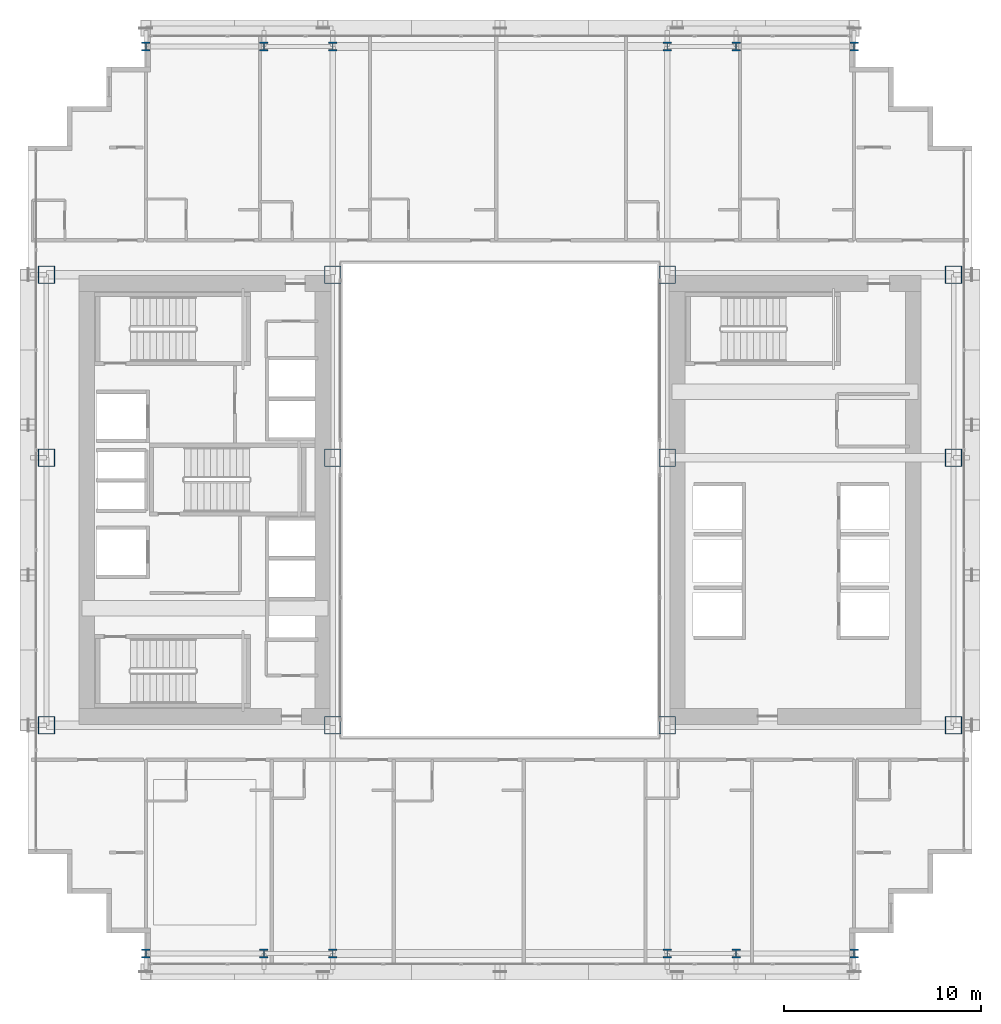
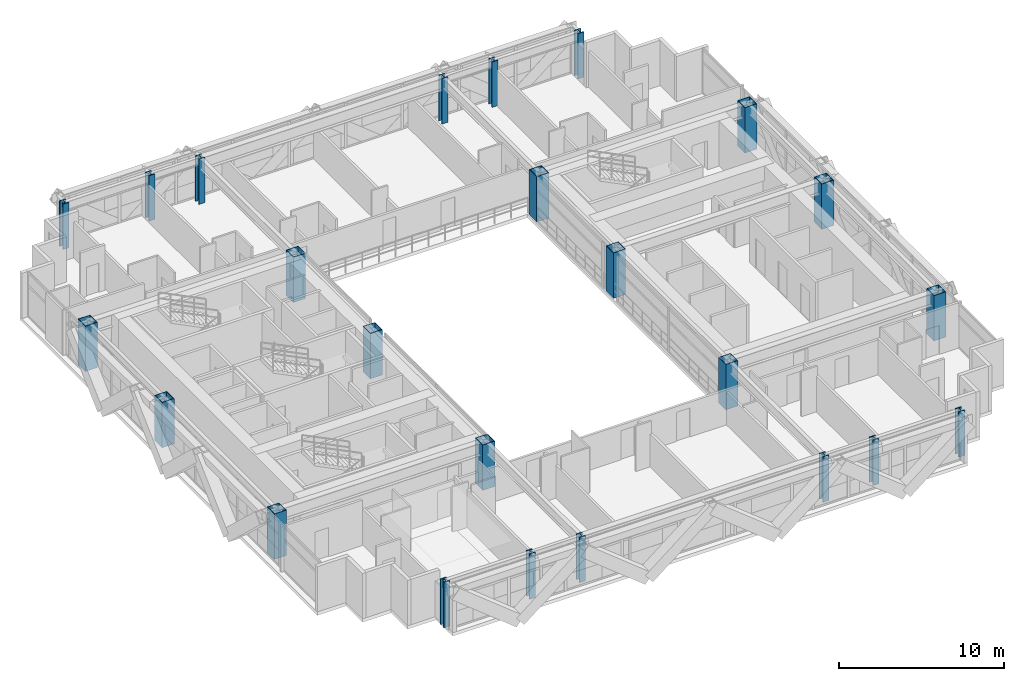
# One storey, part 1 of 41: 24 columns.
"""IFC4 building model written with IfcOpenShell, lengths in metres."""

from ifc_helpers import new_model, si_unit, direction, frame, origin, origin_2d, place, context, subcontext, project, spatial, hollow_rectangle, i_section, extrude, source, transform, mapped, material, material_profile, profile_set, type_object, element, save


model = new_model("IFC4")

# Units and contexts
model_context = context("Model", 3, precision=1e-05, world=origin(), true_north=direction((0.0, 1.0)))
body_context = subcontext(model_context, "Body", "Model", "MODEL_VIEW")
ifc_project = project(units=[si_unit("LENGTHUNIT", "METRE"), si_unit("AREAUNIT", "SQUARE_METRE"), si_unit("VOLUMEUNIT", "CUBIC_METRE"), si_unit("PLANEANGLEUNIT", "RADIAN"), si_unit("MASSUNIT", "GRAM", prefix="KILO")], contexts=[model_context])

# Site, building, storey
site_placement = place(None, origin())
site = spatial("IfcSite", under=ifc_project, at=site_placement, CompositionType="ELEMENT")
building_placement = place(site_placement, origin())
building = spatial("IfcBuilding", under=site, at=building_placement, Name="Ocotamira Hotel", CompositionType="ELEMENT")
storey_placement = place(building_placement, frame((0.0, 0.0, 52.800048828125)))
storey = spatial("IfcBuildingStorey", under=building, at=storey_placement, Name="L12", CompositionType="ELEMENT", Elevation=52.800048828125)

# Columns
ifc_material = material(Name="Steel ASTM A913 Grade 65", Category="steel")
ifc_material_profile_1 = material_profile(ifc_material, hollow_rectangle(XDim=0.85009765625, YDim=0.89990234375, WallThickness=0.0400390625, at=origin_2d()), Name="BOX900X850X40")
ifc_profile_set_1 = profile_set([ifc_material_profile_1], Name="Steel ASTM A913 Grade 65")
column_type_1 = type_object("IfcColumnType", Name="COL-BOX900", PredefinedType="COLUMN", material=ifc_profile_set_1)
shared_shape_1 = source(origin(), body_context, "Body", "SweptSolid", [
    extrude(hollow_rectangle(XDim=0.85009765625, YDim=0.89990234375, WallThickness=0.0400390625, at=origin_2d()), origin(), (0.0, 0.0, 1.0), 3.349853515625),
])
for number, where, z_axis, x_axis, name in (
    (1, (8.949951171875, 14.550048828125, 0.0), (0.0, 0.0, 1.0), (1.0, 0.0, 0.0), "L12 Column TW8_14"),
    (2, (23.5, 14.550048828125, 0.0), (0.0, 0.0, 1.0), (1.0, 0.0, 0.0), "L12 Column TW23_14"),
    (3, (40.5, 14.550048828125, 0.0), (0.0, 0.0, 1.0), (1.0, 0.0, 0.0), "L12 Column TE40_14"),
    (4, (55.050048828125, 14.550048828125, 0.0), (0.0, 0.0, 1.0), (1.0, 0.0, 0.0), "L12 Column TE55_14"),
    (5, (8.949951171875, 28.14990234375, 0.0), (0.0, 0.0, 1.0), (1.0, 0.0, 0.0), "L12 Column TW8_28"),
    (6, (23.5, 28.14990234375, 0.0), (0.0, 0.0, 1.0), (1.0, 0.0, 0.0), "L12 Column TW23_28"),
    (7, (40.5, 28.14990234375, 0.0), (0.0, 0.0, 1.0), (1.0, 0.0, 0.0), "L12 Column TE40_28"),
    (8, (55.050048828125, 28.14990234375, 0.0), (0.0, 0.0, 1.0), (1.0, 0.0, 0.0), "L12 Column TE55_28"),
    (9, (8.949951171875, 37.449951171875, 0.0), (0.0, 0.0, 1.0), (1.0, 0.0, 0.0), "L12 Column TW8_37"),
    (10, (23.5, 37.449951171875, 0.0), (0.0, 0.0, 1.0), (1.0, 0.0, 0.0), "L12 Column TW23_37"),
    (11, (40.5, 37.449951171875, 0.0), (0.0, 0.0, 1.0), (1.0, 0.0, 0.0), "L12 Column TE40_37"),
    (12, (55.050048828125, 37.449951171875, 0.0), (0.0, 0.0, 1.0), (1.0, 0.0, 0.0), "L12 Column TE55_37"),
):
    element("IfcColumn", number, at=place(storey_placement, frame(where, z_axis=z_axis, x_axis=x_axis)), inside=storey, type_object=column_type_1, Name=name, PredefinedType="COLUMN", context=body_context, shape_type="MappedRepresentation", body=[
        mapped(shared_shape_1, transform((0.0, 0.0, 0.0), scale=1.0)),
    ])
ifc_material_profile_2 = material_profile(ifc_material, i_section(OverallWidth=0.422119140625, OverallDepth=0.465087890625, WebThickness=0.044921875, FlangeThickness=0.072509765625, FilletRadius=0.02490234375, at=origin_2d()), Name="W14X398")
ifc_profile_set_2 = profile_set([ifc_material_profile_2], Name="Steel ASTM A913 Grade 65")
column_type_2 = type_object("IfcColumnType", Name="COL-W14X398", PredefinedType="COLUMN", material=ifc_profile_set_2)
shared_shape_2 = source(origin(), body_context, "Body", "SweptSolid", [
    extrude(i_section(OverallWidth=0.422119140625, OverallDepth=0.465087890625, WebThickness=0.044921875, FlangeThickness=0.072509765625, FilletRadius=0.02490234375, at=origin_2d()), origin(), (0.0, 0.0, 1.0), 3.349853515625),
])
for number, where, z_axis, x_axis, name in (
    (13, (14.0, 2.949951171875, 0.0), (0.0, 0.0, 1.0), (1.0, 0.0, 0.0), "L12 Column NSP1_14"),
    (14, (20.0, 2.949951171875, 0.0), (0.0, 0.0, 1.0), (1.0, 0.0, 0.0), "L12 Column NSP1_20"),
    (15, (23.5, 2.949951171875, 0.0), (0.0, 0.0, 1.0), (1.0, 0.0, 0.0), "L12 Column NSP1_23"),
    (16, (40.5, 2.949951171875, 0.0), (0.0, 0.0, 1.0), (1.0, 0.0, 0.0), "L12 Column NSP1_40"),
    (17, (44.0, 2.949951171875, 0.0), (0.0, 0.0, 1.0), (1.0, 0.0, 0.0), "L12 Column NSP1_44"),
    (18, (50.0, 2.949951171875, 0.0), (0.0, 0.0, 1.0), (1.0, 0.0, 0.0), "L12 Column NSP1_50"),
    (19, (14.0, 49.050048828125, 0.0), (0.0, 0.0, 1.0), (1.0, 0.0, 0.0), "L12 Column NSP2_14"),
    (20, (20.0, 49.050048828125, 0.0), (0.0, 0.0, 1.0), (1.0, 0.0, 0.0), "L12 Column NSP2_20"),
    (21, (23.5, 49.050048828125, 0.0), (0.0, 0.0, 1.0), (1.0, 0.0, 0.0), "L12 Column NSP2_23"),
    (22, (40.5, 49.050048828125, 0.0), (0.0, 0.0, 1.0), (1.0, 0.0, 0.0), "L12 Column NSP2_40"),
    (23, (44.0, 49.050048828125, 0.0), (0.0, 0.0, 1.0), (1.0, 0.0, 0.0), "L12 Column NSP2_44"),
    (24, (50.0, 49.050048828125, 0.0), (0.0, 0.0, 1.0), (1.0, 0.0, 0.0), "L12 Column NSP2_50"),
):
    element("IfcColumn", number, at=place(storey_placement, frame(where, z_axis=z_axis, x_axis=x_axis)), inside=storey, type_object=column_type_2, Name=name, PredefinedType="COLUMN", context=body_context, shape_type="MappedRepresentation", body=[
        mapped(shared_shape_2, transform((0.0, 0.0, 0.0), scale=1.0)),
    ])

save(model, "model.ifc")
